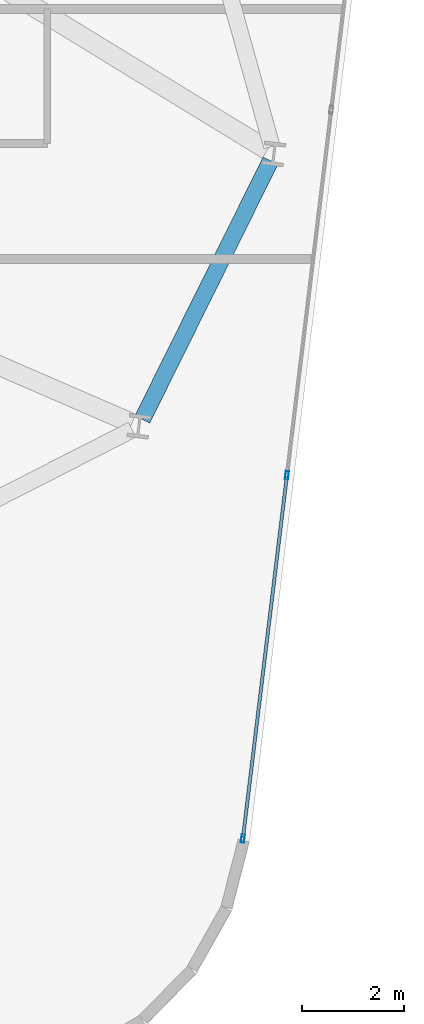
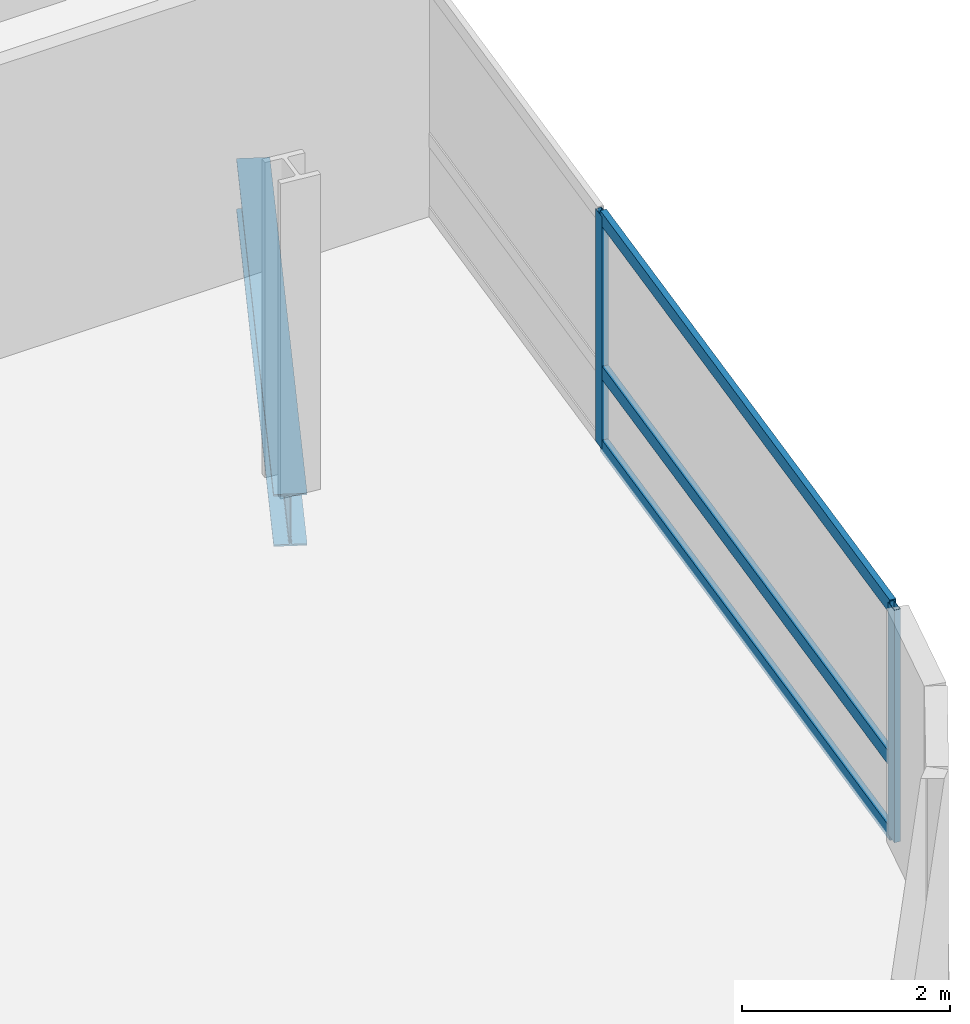
# One storey, part 14 of 26: 5 members, 1 beam, 1 element without a shape of its own.
"""IFC4 building model written with IfcOpenShell, lengths in metres."""

import ifcopenshell
import ifcopenshell.guid

model = None  # the IFC model being written
_history = None  # IfcOwnerHistory: only IFC2X3 demands one
_inside = {}  # id of a spatial element -> (the spatial element, [elements in it])
_under = {}  # id of a project, library or spatial element -> (it, [spatial elements below it])
_declared = {}  # id of a project -> (the project, [libraries it declares])
_typed = {}  # id of a type object -> (the type object, [elements of that type])
_made_of = {}  # id of a material, layer set ... -> (it, [elements and type objects made of it])


def new_model(schema):
    """Start an empty IFC model of exactly this schema.

    Asked for "IFC4X3", IfcOpenShell would pick the latest addendum, in which some entities
    have other attributes; the version numbers below select the first issue.
    IFC2X3 requires an IfcOwnerHistory on every rooted entity: one is made here for all.
    """
    global model, _history
    if schema == "IFC4X3":
        model = ifcopenshell.file(schema_version=(4, 3, 0, 0))
    else:
        model = ifcopenshell.file(schema=schema)
    _inside.clear()
    _under.clear()
    _declared.clear()
    _typed.clear()
    _made_of.clear()
    _history = None
    if model.schema == "IFC2X3":
        org = make("IfcOrganization", Name="unknown")
        user = make(
            "IfcPersonAndOrganization",
            ThePerson=make("IfcPerson", FamilyName="unknown"),
            TheOrganization=org,
        )
        app = make(
            "IfcApplication",
            ApplicationDeveloper=org,
            Version="unknown",
            ApplicationFullName="unknown",
            ApplicationIdentifier="unknown",
        )
        _history = make(
            "IfcOwnerHistory",
            OwningUser=user,
            OwningApplication=app,
            ChangeAction="ADDED",
            CreationDate=0,
        )
    return model


def make(cls, **values):
    """One entity of the class cls with the attributes given. An attribute that is None is left unset."""
    return model.create_entity(
        cls, **{name: value for name, value in values.items() if value is not None}
    )


def rooted(cls, **values):
    """An entity with a GlobalId (a new one), such as an element, a storey or a relation."""
    return make(cls, GlobalId=ifcopenshell.guid.new(), OwnerHistory=_history, **values)


def si_unit(unit_type, name, prefix=None):
    """IfcSIUnit, for example si_unit("LENGTHUNIT", "METRE", prefix="MILLI")."""
    return make("IfcSIUnit", UnitType=unit_type, Prefix=prefix, Name=name)


def assignment(units):
    """IfcUnitAssignment: the units of a project."""
    return None if units is None else make("IfcUnitAssignment", Units=units)


def point(xyz):
    """IfcCartesianPoint."""
    return None if xyz is None else make("IfcCartesianPoint", Coordinates=xyz)


def direction(xyz):
    """IfcDirection."""
    return None if xyz is None else make("IfcDirection", DirectionRatios=xyz)


def frame(location, z_axis=None, x_axis=None):
    """IfcAxis2Placement3D, a coordinate frame: its origin and axes. An axis left out is left unset."""
    return make(
        "IfcAxis2Placement3D",
        Location=point(location),
        Axis=direction(z_axis),
        RefDirection=direction(x_axis),
    )


def frame_2d(location, x_axis=None):
    """IfcAxis2Placement2D, a coordinate frame in the plane: its origin and x axis."""
    return make(
        "IfcAxis2Placement2D", Location=point(location), RefDirection=direction(x_axis)
    )


def origin():
    """The frame at (0, 0, 0) with its axes left unset."""
    return frame((0.0, 0.0, 0.0))


def origin_2d():
    """The frame at (0, 0) in the plane with its x axis left unset."""
    return frame_2d((0.0, 0.0))


def place(relative_to, where):
    """IfcLocalPlacement: puts the frame where relative to a parent placement (None: the world)."""
    return make(
        "IfcLocalPlacement", PlacementRelTo=relative_to, RelativePlacement=where
    )


def context(
    kind, dimensions, precision=None, world=None, true_north=None, identifier=None
):
    """IfcGeometricRepresentationContext, for example the 3D "Model" context."""
    return make(
        "IfcGeometricRepresentationContext",
        ContextIdentifier=identifier,
        ContextType=kind,
        CoordinateSpaceDimension=dimensions,
        Precision=precision,
        WorldCoordinateSystem=world,
        TrueNorth=true_north,
    )


def subcontext(parent, identifier, kind, view, scale=None):
    """IfcGeometricRepresentationSubContext, for example "Body" below "Model"."""
    return make(
        "IfcGeometricRepresentationSubContext",
        ContextIdentifier=identifier,
        ContextType=kind,
        ParentContext=parent,
        TargetScale=scale,
        TargetView=view,
    )


def project(units=None, contexts=None):
    """IfcProject with its units and contexts."""
    return rooted(
        "IfcProject",
        Name="project",
        RepresentationContexts=contexts,
        UnitsInContext=assignment(units),
    )


def spatial(cls, under=None, at=None, **own):
    """A site, building, storey or space (cls), placed at a placement, below another one or the project."""
    s = rooted(cls, ObjectPlacement=at, **own)
    if under is not None:
        _under.setdefault(under.id(), (under, []))[1].append(s)
    return s


def profile(cls, at=None, kind="AREA", **sizes):
    """A parametric profile (cls). Its sizes go by their IFC names, for example OverallWidth=200.0."""
    return make(cls, ProfileType=kind, Position=at, **sizes)


def hollow_rectangle(**sizes):
    """IfcRectangleHollowProfileDef."""
    return profile("IfcRectangleHollowProfileDef", **sizes)


def i_section(**sizes):
    """IfcIShapeProfileDef."""
    return profile("IfcIShapeProfileDef", **sizes)


def extrude(swept, where, along, depth):
    """IfcExtrudedAreaSolid: the profile swept, set in the frame where, extruded along a direction by depth."""
    return make(
        "IfcExtrudedAreaSolid",
        SweptArea=swept,
        Position=where,
        ExtrudedDirection=direction(along),
        Depth=depth,
    )


def shape(context_of_items, identifier, shape_type, items):
    """IfcShapeRepresentation: the items that make up one representation, for example the "Body"."""
    return make(
        "IfcShapeRepresentation",
        ContextOfItems=context_of_items,
        RepresentationIdentifier=identifier,
        RepresentationType=shape_type,
        Items=items,
    )


def material(Name=None, Category=None):
    """IfcMaterial."""
    return make("IfcMaterial", Name=Name, Category=Category)


def layer(
    of_material, thickness, ventilated=None, Name=None, Category=None, Priority=None
):
    """IfcMaterialLayer: one layer of a wall or slab, of a material (None: an air gap)."""
    return make(
        "IfcMaterialLayer",
        Material=of_material,
        LayerThickness=thickness,
        IsVentilated=ventilated,
        Name=Name,
        Category=Category,
        Priority=Priority,
    )


def layer_set(layers, Name=None):
    """IfcMaterialLayerSet."""
    return make("IfcMaterialLayerSet", MaterialLayers=layers, LayerSetName=Name)


def material_profile(
    of_material, cross_section, Name=None, Category=None, Priority=None
):
    """IfcMaterialProfile: a cross section and its material."""
    return make(
        "IfcMaterialProfile",
        Name=Name,
        Material=of_material,
        Profile=cross_section,
        Priority=Priority,
        Category=Category,
    )


def profile_set(profiles, Name=None, composite=None):
    """IfcMaterialProfileSet."""
    return make(
        "IfcMaterialProfileSet",
        Name=Name,
        MaterialProfiles=profiles,
        CompositeProfile=composite,
    )


def made_of(thing, what):
    """Note that an element or type object is made of a material, layer set ...; save() writes the relation."""
    if what is not None:
        _made_of.setdefault(what.id(), (what, []))[1].append(thing)
    return thing


def type_object(cls, material=None, **own):
    """A type object (cls), such as IfcWallType, which elements share."""
    return made_of(rooted(cls, **own), material)


def element(
    cls,
    number,
    at=None,
    inside=None,
    cuts=None,
    type_object=None,
    material=None,
    context=None,
    identifier="Body",
    shape_type=None,
    held_by="IfcProductDefinitionShape",
    body=None,
    shapes=None,
    **own,
):
    """One element of the class cls, such as IfcWall. Its Tag is "e" and its number.

    at: its placement. inside: the storey or other place that contains it. cuts: it is an
    opening in that element (IfcRelVoidsElement). A single representation is given by context,
    identifier, shape_type and body (its items); several are given by shapes. held_by: the class
    of the entity that holds the representations. save() writes the other relations.
    """
    e = rooted(cls, Tag="e%d" % number, ObjectPlacement=at, **own)
    if body is not None:
        shapes = [shape(context, identifier, shape_type, body)]
    if shapes is not None:
        e.Representation = make(held_by, Representations=shapes)
    if inside is not None:
        _inside.setdefault(inside.id(), (inside, []))[1].append(e)
    if cuts is not None:
        rooted(
            "IfcRelVoidsElement", RelatingBuildingElement=cuts, RelatedOpeningElement=e
        )
    if type_object is not None:
        _typed.setdefault(type_object.id(), (type_object, []))[1].append(e)
    return made_of(e, material)


def aggregate(whole, parts):
    """IfcRelAggregates: a whole, such as a stair, and the parts it consists of."""
    return rooted("IfcRelAggregates", RelatingObject=whole, RelatedObjects=parts)


def save(model, path):
    """Write the relations noted so far, then the file.

    IfcRelAggregates (storeys below a building ...), IfcRelContainedInSpatialStructure (elements
    in a storey), IfcRelDefinesByType, IfcRelAssociatesMaterial and IfcRelDeclares: one each for
    every whole, place, type object, material and project.
    """
    for whole, parts in _under.values():
        aggregate(whole, parts)
    for where, things in _inside.values():
        rooted(
            "IfcRelContainedInSpatialStructure",
            RelatedElements=things,
            RelatingStructure=where,
        )
    for kind, things in _typed.values():
        rooted("IfcRelDefinesByType", RelatedObjects=things, RelatingType=kind)
    for what, things in _made_of.values():
        rooted("IfcRelAssociatesMaterial", RelatedObjects=things, RelatingMaterial=what)
    for by, libraries in _declared.values():
        rooted("IfcRelDeclares", RelatingContext=by, RelatedDefinitions=libraries)
    model.write(path)


model = new_model("IFC4")

# Units and contexts
model_context = context("Model", 3, precision=1e-05, world=origin(), true_north=direction((0.0, 1.0)))
body_context = subcontext(model_context, "Body", "Model", "MODEL_VIEW")
ifc_project = project(units=[si_unit("LENGTHUNIT", "METRE"), si_unit("AREAUNIT", "SQUARE_METRE"), si_unit("VOLUMEUNIT", "CUBIC_METRE"), si_unit("PLANEANGLEUNIT", "RADIAN"), si_unit("MASSUNIT", "GRAM", prefix="KILO")], contexts=[model_context])

# Site, building, storey
site_placement = place(None, origin())
site = spatial("IfcSite", under=ifc_project, at=site_placement, CompositionType="ELEMENT")
building_placement = place(site_placement, origin())
building = spatial("IfcBuilding", under=site, at=building_placement, Name="Varnelok Gate Tower", CompositionType="ELEMENT")
storey_placement = place(building_placement, frame((0.0, 0.0, 155.0)))
storey = spatial("IfcBuildingStorey", under=building, at=storey_placement, Name="L39", CompositionType="ELEMENT", Elevation=155.0)

# Beam
ifc_material_1 = material(Name="Structural Steel ASTM A992 Grade 50", Category="steel")
ifc_material_profile_1 = material_profile(ifc_material_1, i_section(OverallWidth=0.323974609375, OverallDepth=0.611083984375, WebThickness=0.0126953125, FlangeThickness=0.01904296875, FilletRadius=0.01806640625, at=origin_2d()), Name="W24X104")
ifc_profile_set_1 = profile_set([ifc_material_profile_1], Name="Structural Steel ASTM A992 Grade 50")
beam_type = type_object("IfcBeamType", Name="BM-SPN-W24X104", PredefinedType="SPANDREL", material=ifc_profile_set_1)
beam_placement = place(storey_placement, frame((71.859619140625, 11.20849609375, -0.555419921875), z_axis=(0.44413424616, 0.895960251009, 0.0), x_axis=(-0.895960251009, 0.44413424616, 0.0)))
element("IfcBeam", 1, at=beam_placement, inside=storey, type_object=beam_type, Name="L39 Perimeter Spandrel Beam 6", PredefinedType="SPANDREL", context=body_context, shape_type="SweptSolid", body=[
    extrude(i_section(OverallWidth=0.323974609375, OverallDepth=0.611083984375, WebThickness=0.0126953125, FlangeThickness=0.01904296875, FilletRadius=0.01806640625, at=origin_2d()), origin(), (0.0, 0.0, 1.0), 5.64990234375),
])

# Curtain wall, members
ifc_material_2 = material(Name="Anodized Aluminum Alloy 6063-T6", Category="aluminium")
ifc_layer = layer(ifc_material_2, 0.179931640625)
ifc_layer_set = layer_set([ifc_layer], Name="Anodized Aluminum Alloy 6063-T6")
curtain_wall_type = type_object("IfcCurtainWallType", Name="CW3-HOTEL-VISION", PredefinedType="USERDEFINED", material=ifc_layer_set)
curtain_wall_placement = place(storey_placement, origin())
curtain_wall = element("IfcCurtainWall", 2, at=curtain_wall_placement, inside=storey, type_object=curtain_wall_type, Name="L39 East End Vision Curtain Wall", ObjectType="UNITISED CURTAIN WALL", PredefinedType="USERDEFINED")
ifc_material_profile_2 = material_profile(ifc_material_2, hollow_rectangle(XDim=0.06494140625, YDim=0.159912109375, WallThickness=0.00390625, at=origin_2d()), Name="ALU160X65X4")
ifc_profile_set_2 = profile_set([ifc_material_profile_2], Name="Anodized Aluminum Alloy 6063-T6")
member_type_1 = type_object("IfcMemberType", Name="CW-MULL-160", PredefinedType="MULLION", material=ifc_profile_set_2)
member_1_placement = place(storey_placement, frame((74.69091796875, 10.118408203125, 0.0), z_axis=(0.0, 0.0, 1.0), x_axis=(0.99273188146, -0.120347046212, 0.0)))
member_1 = element("IfcMember", 3, at=member_1_placement, type_object=member_type_1, Name="CW3 mullion 5", PredefinedType="MULLION", context=body_context, shape_type="SweptSolid", body=[
    extrude(hollow_rectangle(XDim=0.06494140625, YDim=0.159912109375, WallThickness=0.00390625, at=origin_2d()), origin(), (0.0, 0.0, 1.0), 2.72998046875),
])
member_2_placement = place(storey_placement, frame((73.828369140625, 3.003173828125, 0.0), z_axis=(0.0, 0.0, 1.0), x_axis=(0.99273188146, -0.120347046212, 0.0)))
member_2 = element("IfcMember", 4, at=member_2_placement, type_object=member_type_1, Name="CW3 mullion 6", PredefinedType="MULLION", context=body_context, shape_type="SweptSolid", body=[
    extrude(hollow_rectangle(XDim=0.06494140625, YDim=0.159912109375, WallThickness=0.00390625, at=origin_2d()), origin(), (0.0, 0.0, 1.0), 2.72998046875),
])
ifc_material_profile_3 = material_profile(ifc_material_2, hollow_rectangle(XDim=0.06494140625, YDim=0.159912109375, WallThickness=0.00390625, at=origin_2d()), Name="ALU160X65X4")
ifc_profile_set_3 = profile_set([ifc_material_profile_3], Name="Anodized Aluminum Alloy 6063-T6")
member_type_2 = type_object("IfcMemberType", Name="CW-TRAN-160", PredefinedType="USERDEFINED", material=ifc_profile_set_3)
member_3_placement = place(storey_placement, frame((74.68701171875, 10.086181640625, 0.032470703125), z_axis=(-0.120344712857, -0.992732164326, 0.0), x_axis=(0.992732164326, -0.120344712857, 0.0)))
member_3 = element("IfcMember", 5, at=member_3_placement, type_object=member_type_2, Name="CW3 transom 5.1", ObjectType="TRANSOM", PredefinedType="USERDEFINED", context=body_context, shape_type="SweptSolid", body=[
    extrude(hollow_rectangle(XDim=0.06494140625, YDim=0.159912109375, WallThickness=0.00390625, at=origin_2d()), origin(), (0.0, 0.0, 1.0), 7.102294921875),
])
member_4_placement = place(storey_placement, frame((74.68701171875, 10.086181640625, 0.89990234375), z_axis=(-0.120344712857, -0.992732164326, 0.0), x_axis=(0.992732164326, -0.120344712857, 0.0)))
member_4 = element("IfcMember", 6, at=member_4_placement, type_object=member_type_2, Name="CW3 transom 5.2", ObjectType="TRANSOM", PredefinedType="USERDEFINED", context=body_context, shape_type="SweptSolid", body=[
    extrude(hollow_rectangle(XDim=0.06494140625, YDim=0.159912109375, WallThickness=0.00390625, at=origin_2d()), origin(), (0.0, 0.0, 1.0), 7.102294921875),
])
member_5_placement = place(storey_placement, frame((74.68701171875, 10.086181640625, 2.697509765625), z_axis=(-0.120344712857, -0.992732164326, 0.0), x_axis=(0.992732164326, -0.120344712857, 0.0)))
member_5 = element("IfcMember", 7, at=member_5_placement, type_object=member_type_2, Name="CW3 transom 5.3", ObjectType="TRANSOM", PredefinedType="USERDEFINED", context=body_context, shape_type="SweptSolid", body=[
    extrude(hollow_rectangle(XDim=0.06494140625, YDim=0.159912109375, WallThickness=0.00390625, at=origin_2d()), origin(), (0.0, 0.0, 1.0), 7.102294921875),
])
aggregate(curtain_wall, [member_1, member_2, member_3, member_4, member_5])

save(model, "model.ifc")
